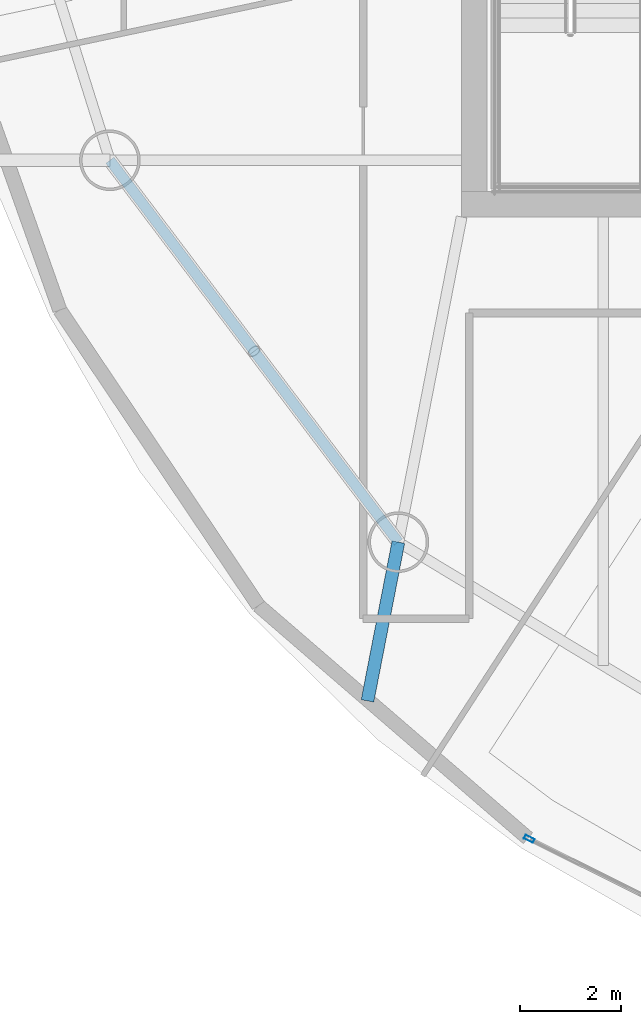
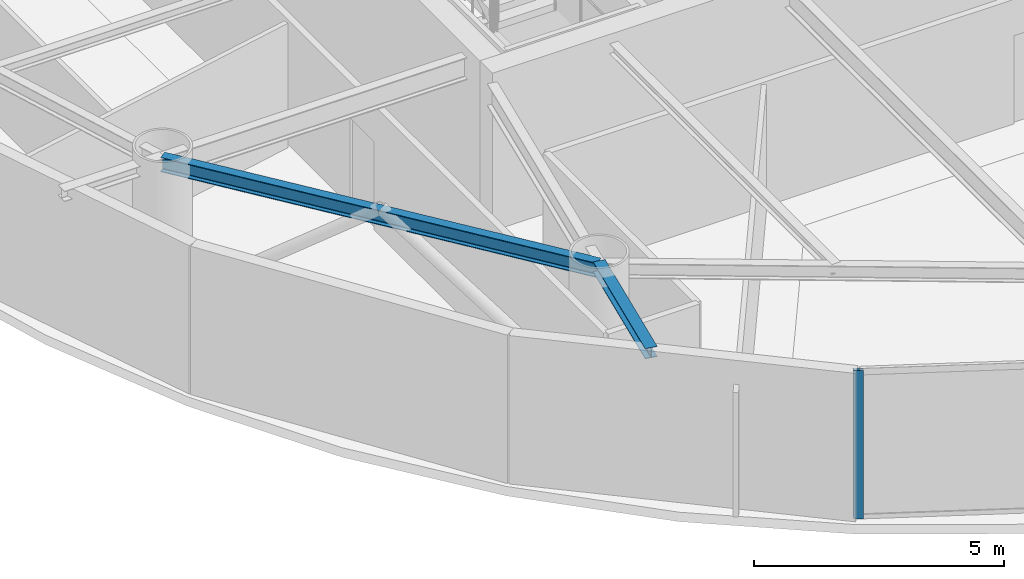
# One storey, part 2 of 22: 2 beams, 1 member, 1 element without a shape of its own.
"""IFC4 building model written with IfcOpenShell, lengths in metres."""

from ifc_helpers import new_model, si_unit, direction, frame, origin, origin_2d, place, context, subcontext, project, spatial, hollow_rectangle, i_section, extrude, material, layer, layer_set, material_profile, profile_set, type_object, element, aggregate, save


model = new_model("IFC4")

# Units and contexts
model_context = context("Model", 3, precision=1e-05, world=origin(), true_north=direction((0.0, 1.0)))
body_context = subcontext(model_context, "Body", "Model", "MODEL_VIEW")
ifc_project = project(units=[si_unit("LENGTHUNIT", "METRE"), si_unit("AREAUNIT", "SQUARE_METRE"), si_unit("VOLUMEUNIT", "CUBIC_METRE"), si_unit("PLANEANGLEUNIT", "RADIAN"), si_unit("MASSUNIT", "GRAM", prefix="KILO")], contexts=[model_context])

# Site, building, storey
site_placement = place(None, origin())
site = spatial("IfcSite", under=ifc_project, at=site_placement, CompositionType="ELEMENT")
building_placement = place(site_placement, origin())
building = spatial("IfcBuilding", under=site, at=building_placement, Name="Bramvorn Convention Spire", CompositionType="ELEMENT")
storey_placement = place(building_placement, frame((0.0, 0.0, 225.10009765625)))
storey = spatial("IfcBuildingStorey", under=building, at=storey_placement, Name="L57", CompositionType="ELEMENT", Elevation=225.10009765625)

# Beams
ifc_material_1 = material(Name="Steel CSA G40.21 Grade 350 (350W)", Category="steel")
ifc_material_profile_1 = material_profile(ifc_material_1, i_section(OverallWidth=0.25390625, OverallDepth=0.2529296875, WebThickness=0.008544921875, FlangeThickness=0.01416015625, FilletRadius=0.011962890625, at=origin_2d()))
ifc_profile_set_1 = profile_set([ifc_material_profile_1], Name="Steel CSA G40.21 Grade 350 (350W) - W250X73")
beam_type_1 = type_object("IfcBeamType", Name="BM-W250X73", PredefinedType="BEAM", material=ifc_profile_set_1)
beam_1_placement = place(storey_placement, frame((25.498046875, 12.114990234375, 3.493408203125), z_axis=(-0.190977895588, -0.981594337492, 0.0), x_axis=(0.981594337492, -0.190977895588, 0.0)))
element("IfcBeam", 1, at=beam_1_placement, inside=storey, type_object=beam_type_1, Name="L57 slab-edge cantilever tip beam MC13", PredefinedType="BEAM", context=body_context, shape_type="SweptSolid", body=[
    extrude(i_section(OverallWidth=0.25390625, OverallDepth=0.2529296875, WebThickness=0.008544921875, FlangeThickness=0.01416015625, FilletRadius=0.011962890625, at=origin_2d()), origin(), (0.0, 0.0, 1.0), 3.19970703125),
])
ifc_material_profile_2 = material_profile(ifc_material_1, i_section(OverallWidth=0.205078125, OverallDepth=0.35400390625, WebThickness=0.009521484375, FlangeThickness=0.016845703125, FilletRadius=0.014892578125, at=origin_2d()))
ifc_profile_set_2 = profile_set([ifc_material_profile_2], Name="Steel CSA G40.21 Grade 350 (350W) - W360X79")
beam_type_2 = type_object("IfcBeamType", Name="BM-W360X79", PredefinedType="JOIST", material=ifc_profile_set_2)
beam_2_placement = place(storey_placement, frame((19.78955078125, 19.672607421875, 3.44287109375), z_axis=(0.602718581414, -0.797953827999, 0.0), x_axis=(0.797953827999, 0.602718581414, 0.0)))
element("IfcBeam", 2, at=beam_2_placement, inside=storey, type_object=beam_type_2, Name="L57 mega-column ring beam 12", PredefinedType="JOIST", context=body_context, shape_type="SweptSolid", body=[
    extrude(i_section(OverallWidth=0.205078125, OverallDepth=0.35400390625, WebThickness=0.009521484375, FlangeThickness=0.016845703125, FilletRadius=0.014892578125, at=origin_2d()), origin(), (0.0, 0.0, 1.0), 9.47119140625),
])

# Curtain wall, member
ifc_material_2 = material(Name="Anodised Bronze Unitised Curtain Wall", Category="aluminium")
ifc_layer = layer(ifc_material_2, 0.179931640625)
ifc_layer_set = layer_set([ifc_layer], Name="Anodised Bronze Unitised Curtain Wall - CW-OFF-FRIT")
curtain_wall_type = type_object("IfcCurtainWallType", Name="CW-OFF-FRIT", PredefinedType="USERDEFINED", material=ifc_layer_set)
curtain_wall_placement = place(storey_placement, origin())
curtain_wall = element("IfcCurtainWall", 3, at=curtain_wall_placement, inside=storey, type_object=curtain_wall_type, Name="L57 fritted glass curtain wall 20", ObjectType="UNITISED CURTAIN WALL", PredefinedType="USERDEFINED")
ifc_material_3 = material(Name="Anodised Bronze Aluminium 6063-T6", Category="aluminium")
ifc_material_profile_3 = material_profile(ifc_material_3, hollow_rectangle(XDim=0.080078125, YDim=0.199951171875, WallThickness=0.00390625, InnerFilletRadius=0.0009765625, OuterFilletRadius=0.00390625, at=origin_2d()))
ifc_profile_set_3 = profile_set([ifc_material_profile_3], Name="Anodised Bronze Aluminium 6063-T6 - CWM80X200")
member_type = type_object("IfcMemberType", Name="CW-MUL-180", PredefinedType="MULLION", material=ifc_profile_set_3)
member_placement = place(storey_placement, frame((28.087890625, 6.24365234375, 0.0), z_axis=(0.0, 0.0, 1.0), x_axis=(-0.445565549791, -0.895249317698, 0.0)))
member = element("IfcMember", 4, at=member_placement, type_object=member_type, Name="CW3 mullion 2", PredefinedType="MULLION", context=body_context, shape_type="SweptSolid", body=[
    extrude(hollow_rectangle(XDim=0.080078125, YDim=0.199951171875, WallThickness=0.00390625, InnerFilletRadius=0.0009765625, OuterFilletRadius=0.00390625, at=origin_2d()), origin(), (0.0, 0.0, 1.0), 3.619873046875),
])
aggregate(curtain_wall, [member])

save(model, "model.ifc")
